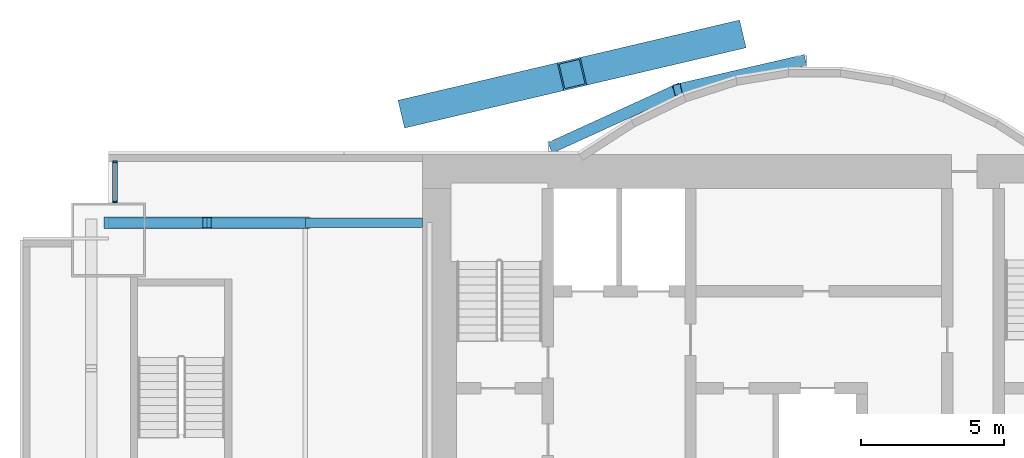
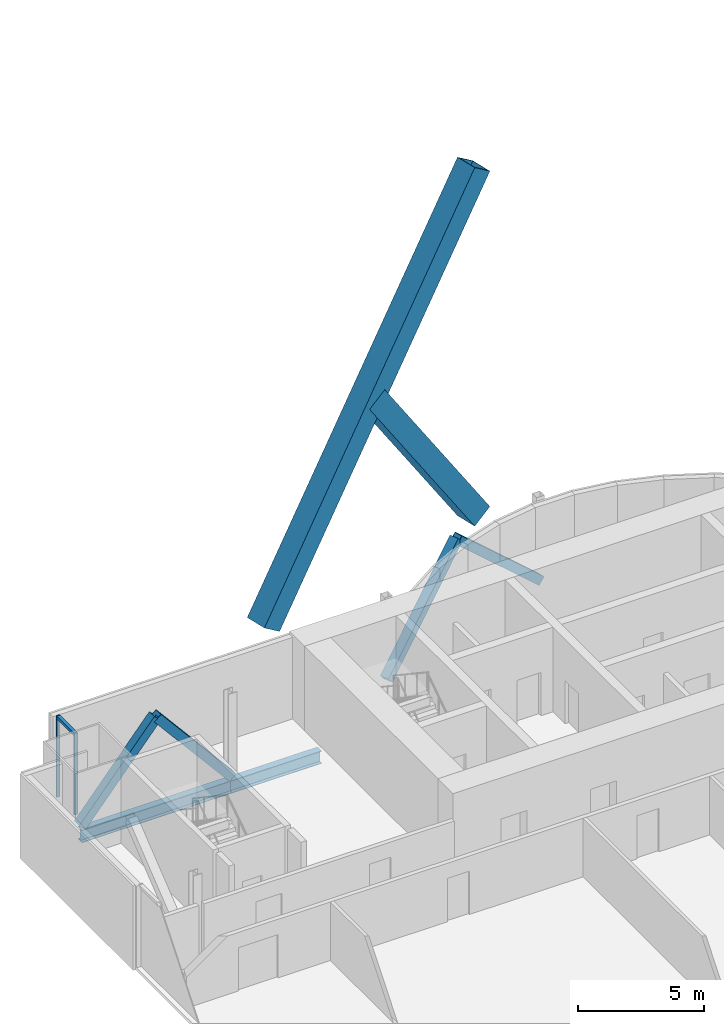
# One storey, part 12 of 23: 9 members, 2 beams, 1 element without a shape of its own.
"""IFC4 building model written with IfcOpenShell, lengths in metres."""

from ifc_helpers import new_model, si_unit, direction, frame, origin, origin_2d, place, context, subcontext, project, spatial, rectangle, hollow_rectangle, i_section, extrude, material, material_profile, profile_set, type_object, element, aggregate, save


model = new_model("IFC4")

# Units and contexts
model_context = context("Model", 3, precision=1e-05, world=origin(), true_north=direction((0.0, 1.0)))
body_context = subcontext(model_context, "Body", "Model", "MODEL_VIEW")
ifc_project = project(units=[si_unit("LENGTHUNIT", "METRE"), si_unit("AREAUNIT", "SQUARE_METRE"), si_unit("VOLUMEUNIT", "CUBIC_METRE"), si_unit("PLANEANGLEUNIT", "RADIAN"), si_unit("MASSUNIT", "GRAM", prefix="KILO")], contexts=[model_context])

# Site, building, storey
site_placement = place(None, origin())
site = spatial("IfcSite", under=ifc_project, at=site_placement, CompositionType="ELEMENT")
building_placement = place(site_placement, origin())
building = spatial("IfcBuilding", under=site, at=building_placement, Name="Bicima Exchange Tower", CompositionType="ELEMENT")
storey_placement = place(building_placement, frame((0.0, 0.0, 152.699951171875)))
storey = spatial("IfcBuildingStorey", under=building, at=storey_placement, Name="L33", CompositionType="ELEMENT", Elevation=152.699951171875)

# Members
ifc_material_1 = material(Name="Steel ASTM A572 Gr 50", Category="steel")
ifc_material_profile_1 = material_profile(ifc_material_1, hollow_rectangle(XDim=1.0, YDim=1.0, WallThickness=0.06005859375, at=origin_2d()))
ifc_profile_set_1 = profile_set([ifc_material_profile_1], Name="Steel ASTM A572 Gr 50")
member_type_1 = type_object("IfcMemberType", Name="Exo mega brace BOX 1000x1000x60", PredefinedType="BRACE", material=ifc_profile_set_1)
member_1_placement = place(storey_placement, frame((-22.333251953125, 1.5, 3.63330078125), z_axis=(0.54817644634, 0.128864251848, 0.826375573377), x_axis=(-0.228840031766, 0.973464041381, 0.0)))
element("IfcMember", 1, at=member_1_placement, inside=storey, type_object=member_type_1, Name="Exo mega brace rear", PredefinedType="BRACE", context=body_context, shape_type="SweptSolid", body=[
    extrude(hollow_rectangle(XDim=1.0, YDim=1.0, WallThickness=0.06005859375, at=origin_2d()), origin(), (0.0, 0.0, 1.0), 20.370361328125),
])
member_2_placement = place(storey_placement, frame((-11.166748046875, 4.125, 3.63330078125), z_axis=(-0.54817644634, -0.128864251848, 0.826375573377), x_axis=(0.228840031766, -0.973464041381, 0.0)))
element("IfcMember", 2, at=member_2_placement, inside=storey, type_object=member_type_1, Name="Exo mega brace rear", PredefinedType="BRACE", context=body_context, shape_type="SweptSolid", body=[
    extrude(hollow_rectangle(XDim=1.0, YDim=1.0, WallThickness=0.06005859375, at=origin_2d()), origin(), (0.0, 0.0, 1.0), 10.18505859375),
])

# Curtain wall, members
ifc_material_2 = material(Name="Anodised bronze aluminium", Category="aluminium")
curtain_wall_type = type_object("IfcCurtainWallType", Name="Front glass wall", PredefinedType="NOTDEFINED", material=ifc_material_2)
curtain_wall_placement = place(storey_placement, origin())
curtain_wall = element("IfcCurtainWall", 3, at=curtain_wall_placement, inside=storey, type_object=curtain_wall_type, Name="Front glass wall L33 run 1", PredefinedType="NOTDEFINED")
ifc_material_profile_2 = material_profile(ifc_material_2, rectangle(XDim=0.159912109375, YDim=0.06005859375, at=origin_2d()))
ifc_profile_set_2 = profile_set([ifc_material_profile_2], Name="Anodised bronze aluminium")
member_type_2 = type_object("IfcMemberType", Name="Front glass wall mullion 60 x 160", PredefinedType="MULLION", material=ifc_profile_set_2)
member_3_placement = place(storey_placement, frame((-32.77001953125, -0.260009765625, 0.0), z_axis=(0.0, 0.0, 1.0), x_axis=(1.0, 0.0, 0.0)))
member_3 = element("IfcMember", 4, at=member_3_placement, type_object=member_type_2, Name="Front glass wall mullion 1", PredefinedType="MULLION", context=body_context, shape_type="SweptSolid", body=[
    extrude(rectangle(XDim=0.159912109375, YDim=0.06005859375, at=origin_2d()), origin(), (0.0, 0.0, 1.0), 3.949951171875),
])
member_4_placement = place(storey_placement, frame((-32.77001953125, -1.669921875, 0.0), z_axis=(0.0, 0.0, 1.0), x_axis=(1.0, 0.0, 0.0)))
member_4 = element("IfcMember", 5, at=member_4_placement, type_object=member_type_2, Name="Front glass wall mullion 2", PredefinedType="MULLION", context=body_context, shape_type="SweptSolid", body=[
    extrude(rectangle(XDim=0.159912109375, YDim=0.06005859375, at=origin_2d()), origin(), (0.0, 0.0, 1.0), 3.949951171875),
])
ifc_material_profile_3 = material_profile(ifc_material_2, rectangle(XDim=0.159912109375, YDim=0.139892578125, at=origin_2d()))
ifc_profile_set_3 = profile_set([ifc_material_profile_3], Name="Anodised bronze aluminium")
member_type_3 = type_object("IfcMemberType", Name="Front glass wall transom 140 x 160", PredefinedType="USERDEFINED", material=ifc_profile_set_3)
member_5_placement = place(storey_placement, frame((-32.77001953125, -0.2900390625, 3.880126953125), z_axis=(0.0, -1.0, 0.0), x_axis=(1.0, 0.0, 0.0)))
member_5 = element("IfcMember", 6, at=member_5_placement, type_object=member_type_3, Name="Front glass wall transom 1.1", ObjectType="TRANSOM", PredefinedType="USERDEFINED", context=body_context, shape_type="SweptSolid", body=[
    extrude(rectangle(XDim=0.159912109375, YDim=0.139892578125, at=origin_2d()), origin(), (0.0, 0.0, 1.0), 1.349853515625),
])
aggregate(curtain_wall, [member_3, member_4, member_5])

# Members
ifc_material_profile_4 = material_profile(ifc_material_1, hollow_rectangle(XDim=0.406494140625, YDim=0.406494140625, WallThickness=0.017822265625, at=origin_2d()))
ifc_profile_set_4 = profile_set([ifc_material_profile_4], Name="Steel ASTM A572 Gr 50")
member_type_4 = type_object("IfcMemberType", Name="Mega brace HSS16x16x3/4", PredefinedType="BRACE", material=ifc_profile_set_4)
member_6_placement = place(storey_placement, frame((-17.39990234375, 0.278076171875, 0.0), z_axis=(0.690628963585, 0.315060460011, 0.650975069565), x_axis=(-0.415045223819, 0.909800781592, 0.0)))
element("IfcMember", 7, at=member_6_placement, inside=storey, type_object=member_type_4, Name="Mega brace rexo", PredefinedType="BRACE", context=body_context, shape_type="SweptSolid", body=[
    extrude(hollow_rectangle(XDim=0.406494140625, YDim=0.406494140625, WallThickness=0.017822265625, at=origin_2d()), origin(), (0.0, 0.0, 1.0), 6.29833984375),
])
member_7_placement = place(storey_placement, frame((-8.699951171875, 3.26904296875, 0.0), z_axis=(-0.717605620354, -0.166050509188, 0.676364843878), x_axis=(0.225438503722, -0.974257399787, 0.0)))
element("IfcMember", 8, at=member_7_placement, inside=storey, type_object=member_type_4, Name="Mega brace rexo", PredefinedType="BRACE", context=body_context, shape_type="SweptSolid", body=[
    extrude(hollow_rectangle(XDim=0.406494140625, YDim=0.406494140625, WallThickness=0.017822265625, at=origin_2d()), origin(), (0.0, 0.0, 1.0), 6.06201171875),
])
for number, where, z_axis, x_axis, name in (
    (9, (-33.0, -2.39990234375, 0.0), (0.643834042494, 0.0, 0.765165162384), (0.0, 1.0, 0.0), "Mega brace rear"),
    (10, (-26.10009765625, -2.39990234375, 0.0), (-0.643834042494, 0.0, 0.765165162384), (0.0, -1.0, 0.0), "Mega brace rear"),
):
    element("IfcMember", number, at=place(storey_placement, frame(where, z_axis=z_axis, x_axis=x_axis)), inside=storey, type_object=member_type_4, Name=name, PredefinedType="BRACE", context=body_context, shape_type="SweptSolid", body=[
        extrude(hollow_rectangle(XDim=0.406494140625, YDim=0.406494140625, WallThickness=0.017822265625, at=origin_2d()), origin(), (0.0, 0.0, 1.0), 5.3583984375),
    ])

# Beams
ifc_material_3 = material(Name="Steel ASTM A992 Gr 50", Category="steel")
ifc_material_profile_5 = material_profile(ifc_material_3, i_section(OverallWidth=0.3251953125, OverallDepth=0.612060546875, WebThickness=0.0126953125, FlangeThickness=0.01904296875, at=origin_2d()))
ifc_profile_set_5 = profile_set([ifc_material_profile_5], Name="Steel ASTM A992 Gr 50")
beam_type = type_object("IfcBeamType", Name="Rear girder W24x104", PredefinedType="BEAM", material=ifc_profile_set_5)
beam_1_placement = place(storey_placement, frame((-22.0, -2.39990234375, -0.4560546875), z_axis=(-1.0, 0.0, 0.0), x_axis=(0.0, -1.0, 0.0)))
element("IfcBeam", 11, at=beam_1_placement, inside=storey, type_object=beam_type, Name="Rear girder", PredefinedType="BEAM", context=body_context, shape_type="SweptSolid", body=[
    extrude(i_section(OverallWidth=0.3251953125, OverallDepth=0.612060546875, WebThickness=0.0126953125, FlangeThickness=0.01904296875, at=origin_2d()), origin(), (0.0, 0.0, 1.0), 4.10009765625),
])
beam_2_placement = place(storey_placement, frame((-26.10009765625, -2.39990234375, -0.4560546875), z_axis=(-1.0, 0.0, 0.0), x_axis=(0.0, -1.0, 0.0)))
element("IfcBeam", 12, at=beam_2_placement, inside=storey, type_object=beam_type, Name="Rear girder", PredefinedType="BEAM", context=body_context, shape_type="SweptSolid", body=[
    extrude(i_section(OverallWidth=0.3251953125, OverallDepth=0.612060546875, WebThickness=0.0126953125, FlangeThickness=0.01904296875, at=origin_2d()), origin(), (0.0, 0.0, 1.0), 6.89990234375),
])

save(model, "model.ifc")
